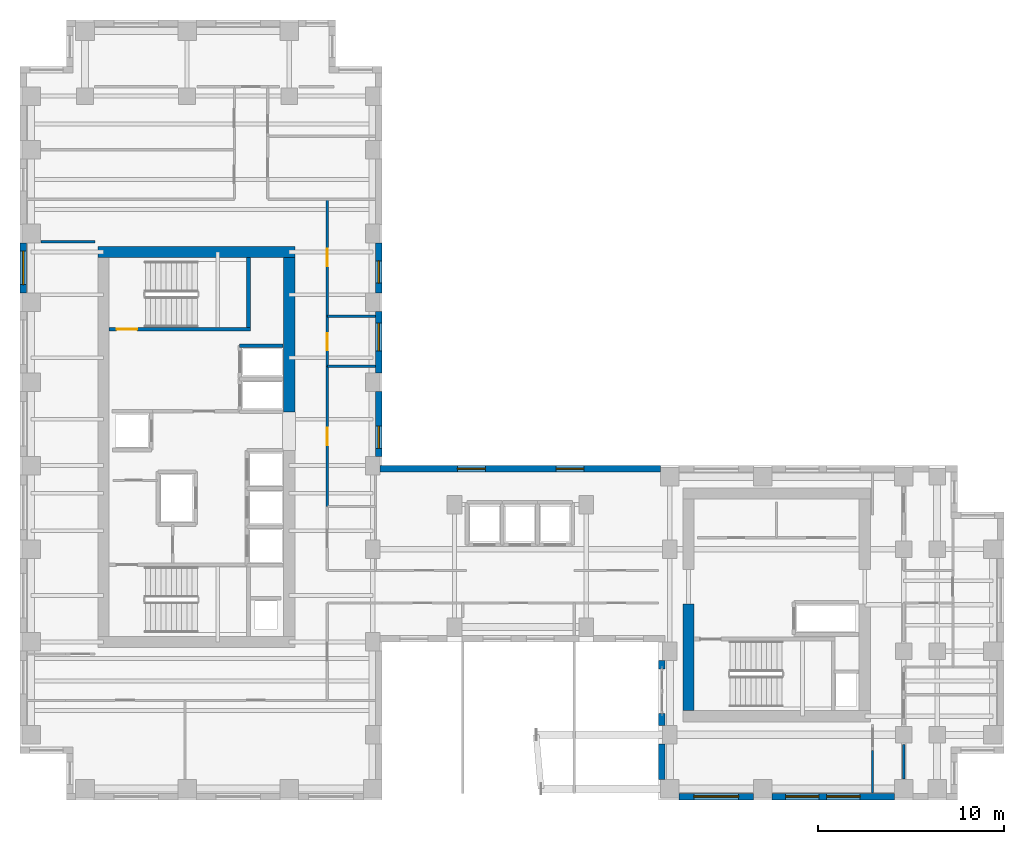
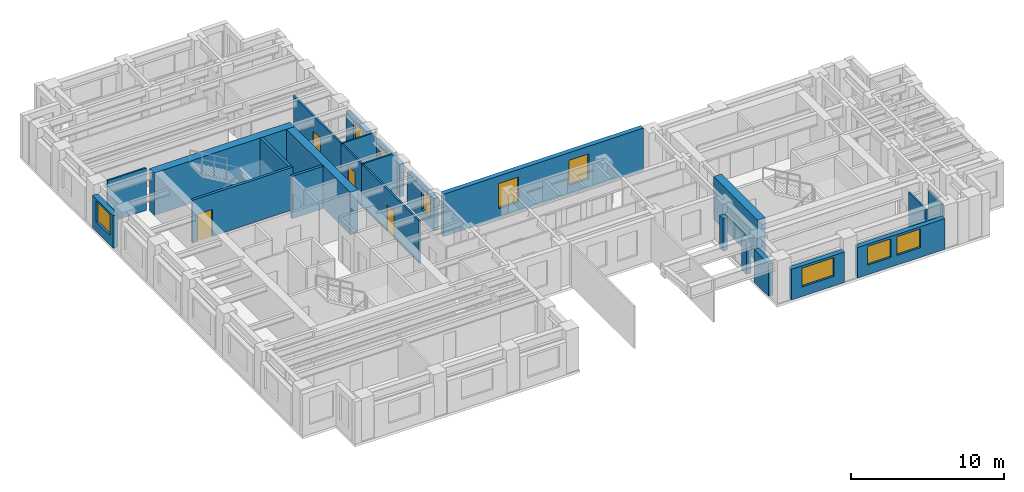
# One storey, part 8 of 13: 24 walls, 9 windows, 4 doors, 13 openings.
"""IFC4 building model written with IfcOpenShell, lengths in metres."""

from ifc_helpers import new_model, si_unit, direction, frame, frame_2d, origin, place, context, subcontext, project, spatial, rectangle, extrude, source, transform, mapped, material, layer, layer_set, type_object, element, fill, save


model = new_model("IFC4")

# Units and contexts
model_context = context("Model", 3, precision=1e-05, world=origin(), true_north=direction((0.0, 1.0)))
body_context = subcontext(model_context, "Body", "Model", "MODEL_VIEW")
ifc_project = project(units=[si_unit("LENGTHUNIT", "METRE"), si_unit("AREAUNIT", "SQUARE_METRE"), si_unit("VOLUMEUNIT", "CUBIC_METRE"), si_unit("PLANEANGLEUNIT", "RADIAN"), si_unit("MASSUNIT", "GRAM", prefix="KILO")], contexts=[model_context])

# Site, building, storey
site_placement = place(None, origin())
site = spatial("IfcSite", under=ifc_project, at=site_placement, CompositionType="ELEMENT")
building_placement = place(site_placement, origin())
building = spatial("IfcBuilding", under=site, at=building_placement, Name="Kharzan Plaza Tower", CompositionType="ELEMENT")
storey_placement = place(building_placement, frame((0.0, 0.0, 161.10009765625)))
storey = spatial("IfcBuildingStorey", under=building, at=storey_placement, Name="L43", CompositionType="ELEMENT", Elevation=161.10009765625)

# Wall, opening, window
ifc_material_1 = material(Name="Concrete C40/50", Category="concrete")
ifc_layer_1 = layer(ifc_material_1, 0.35009765625)
ifc_layer_set_1 = layer_set([ifc_layer_1], Name="Concrete C40/50")
wall_type_1 = type_object("IfcWallType", Name="WL-EXT-MAS-Z3", PredefinedType="SOLIDWALL", material=ifc_layer_set_1)
wall_1_placement = place(storey_placement, frame((0.175048828125, 30.001953125, 0.0), z_axis=(0.0, 0.0, 1.0), x_axis=(0.0, -1.0, 0.0)))
wall_1 = element("IfcWall", 1, at=wall_1_placement, inside=storey, type_object=wall_type_1, Name="L43 Masonry-Frame Exterior Wall 12", PredefinedType="SOLIDWALL", context=body_context, shape_type="SweptSolid", body=[
    extrude(rectangle(XDim=2.703857421875, YDim=0.35009765625, at=frame_2d((1.35205078125, 0.0))), origin(), (0.0, 0.0, 1.0), 2.61181640625),
])
opening_1_placement = place(wall_1_placement, frame((0.451904296875, 0.0, 0.780029296875)))
opening_1 = element("IfcOpeningElement", 2, at=opening_1_placement, cuts=wall_1, Name="Opening W1", PredefinedType="OPENING", context=body_context, shape_type="SweptSolid", body=[
    extrude(rectangle(XDim=1.800048828125, YDim=1.652099609375, at=frame_2d((0.89990234375, 0.826171875))), frame((0.0, 0.18505859375, 0.0), z_axis=(0.0, -1.0, 0.0), x_axis=(1.0, 0.0, 0.0)), (0.0, 0.0, 1.0), 0.3701171875),
])
ifc_material_2 = material(Name="Low-E Double Glazing", Category="glass")
window_type_1 = type_object("IfcWindowType", Name="WN-REC-1800x2100", PartitioningType="SINGLE_PANEL", PredefinedType="WINDOW", material=ifc_material_2)
shared_shape_1 = source(origin(), body_context, "Body", "SweptSolid", [
    extrude(rectangle(XDim=1.800048828125, YDim=1.652099609375, at=frame_2d((0.89990234375, 0.826171875))), frame((0.0, 0.030029296875, 0.0), z_axis=(0.0, -1.0, 0.0), x_axis=(1.0, 0.0, 0.0)), (0.0, 0.0, 1.0), 0.06005859375),
])
window_1_placement = place(opening_1_placement, origin())
window_1 = element("IfcWindow", 3, at=window_1_placement, inside=storey, type_object=window_type_1, Name="L43 Recessed Solar-Control Window 12-1", OverallHeight=1.652099609375, OverallWidth=1.800048828125, PartitioningType="SINGLE_PANEL", PredefinedType="WINDOW", context=body_context, shape_type="MappedRepresentation", body=[
    mapped(shared_shape_1, transform((0.0, 0.0, 0.0), x_axis=(1.0, 0.0, 0.0), y_axis=(0.0, 1.0, 0.0), z_axis=(0.0, 0.0, 1.0))),
])
fill(opening_1, window_1)

wall_2_placement = place(storey_placement, frame((35.498046875, 0.175048828125, 0.0), z_axis=(0.0, 0.0, 1.0), x_axis=(1.0, 0.0, 0.0)))
wall_2 = element("IfcWall", 4, at=wall_2_placement, inside=storey, type_object=wall_type_1, Name="L43 Masonry-Frame Exterior Wall 32", PredefinedType="SOLIDWALL", context=body_context, shape_type="SweptSolid", body=[
    extrude(rectangle(XDim=4.00390625, YDim=0.35009765625, at=frame_2d((2.001953125, 0.0))), origin(), (0.0, 0.0, 1.0), 2.447998046875),
])
opening_2_placement = place(wall_2_placement, frame((0.802001953125, 0.0, 0.780029296875)))
opening_2 = element("IfcOpeningElement", 5, at=opening_2_placement, cuts=wall_2, Name="Opening W2", PredefinedType="OPENING", context=body_context, shape_type="SweptSolid", body=[
    extrude(rectangle(XDim=2.39990234375, YDim=1.488037109375, at=frame_2d((1.199951171875, 0.744140625))), frame((0.0, 0.18505859375, 0.0), z_axis=(0.0, -1.0, 0.0), x_axis=(1.0, 0.0, 0.0)), (0.0, 0.0, 1.0), 0.3701171875),
])
window_type_2 = type_object("IfcWindowType", Name="WN-REC-2400x2100", PartitioningType="SINGLE_PANEL", PredefinedType="WINDOW", material=ifc_material_2)
shared_shape_2 = source(origin(), body_context, "Body", "SweptSolid", [
    extrude(rectangle(XDim=2.39990234375, YDim=1.488037109375, at=frame_2d((1.199951171875, 0.744140625))), frame((0.0, 0.030029296875, 0.0), z_axis=(0.0, -1.0, 0.0), x_axis=(1.0, 0.0, 0.0)), (0.0, 0.0, 1.0), 0.06005859375),
])
window_2_placement = place(opening_2_placement, origin())
window_2 = element("IfcWindow", 6, at=window_2_placement, inside=storey, type_object=window_type_2, Name="L43 Wide Recessed Solar-Control Window 32-1", OverallHeight=1.488037109375, OverallWidth=2.39990234375, PartitioningType="SINGLE_PANEL", PredefinedType="WINDOW", context=body_context, shape_type="MappedRepresentation", body=[
    mapped(shared_shape_2, transform((0.0, 0.0, 0.0), x_axis=(1.0, 0.0, 0.0), y_axis=(0.0, 1.0, 0.0), z_axis=(0.0, 0.0, 1.0))),
])
fill(opening_2, window_2)

# Wall, openings, windows
wall_3_placement = place(storey_placement, frame((40.498046875, 0.175048828125, 0.0), z_axis=(0.0, 0.0, 1.0), x_axis=(1.0, 0.0, 0.0)))
wall_3 = element("IfcWall", 7, at=wall_3_placement, inside=storey, type_object=wall_type_1, Name="L43 Masonry-Frame Exterior Wall 33", PredefinedType="SOLIDWALL", context=body_context, shape_type="SweptSolid", body=[
    extrude(rectangle(XDim=6.60400390625, YDim=0.35009765625, at=frame_2d((3.302001953125, 0.0))), origin(), (0.0, 0.0, 1.0), 2.447998046875),
])
opening_3_placement = place(wall_3_placement, frame((0.7373046875, 0.0, 0.780029296875)))
opening_3 = element("IfcOpeningElement", 8, at=opening_3_placement, cuts=wall_3, Name="Opening W1", PredefinedType="OPENING", context=body_context, shape_type="SweptSolid", body=[
    extrude(rectangle(XDim=1.800048828125, YDim=1.488037109375, at=frame_2d((0.89990234375, 0.744140625))), frame((0.0, 0.18505859375, 0.0), z_axis=(0.0, -1.0, 0.0), x_axis=(1.0, 0.0, 0.0)), (0.0, 0.0, 1.0), 0.3701171875),
])
opening_4_placement = place(wall_3_placement, frame((2.95458984375, 0.0, 0.780029296875)))
opening_4 = element("IfcOpeningElement", 9, at=opening_4_placement, cuts=wall_3, Name="Opening W1", PredefinedType="OPENING", context=body_context, shape_type="SweptSolid", body=[
    extrude(rectangle(XDim=1.800048828125, YDim=1.488037109375, at=frame_2d((0.89990234375, 0.744140625))), frame((0.0, 0.18505859375, 0.0), z_axis=(0.0, -1.0, 0.0), x_axis=(1.0, 0.0, 0.0)), (0.0, 0.0, 1.0), 0.3701171875),
])
shared_shape_3 = source(origin(), body_context, "Body", "SweptSolid", [
    extrude(rectangle(XDim=1.800048828125, YDim=1.488037109375, at=frame_2d((0.89990234375, 0.744140625))), frame((0.0, 0.030029296875, 0.0), z_axis=(0.0, -1.0, 0.0), x_axis=(1.0, 0.0, 0.0)), (0.0, 0.0, 1.0), 0.06005859375),
])
window_3_placement = place(opening_3_placement, origin())
window_3 = element("IfcWindow", 10, at=window_3_placement, inside=storey, type_object=window_type_1, Name="L43 Recessed Solar-Control Window 33-1", OverallHeight=1.488037109375, OverallWidth=1.800048828125, PartitioningType="SINGLE_PANEL", PredefinedType="WINDOW", context=body_context, shape_type="MappedRepresentation", body=[
    mapped(shared_shape_3, transform((0.0, 0.0, 0.0), x_axis=(1.0, 0.0, 0.0), y_axis=(0.0, 1.0, 0.0), z_axis=(0.0, 0.0, 1.0))),
])
fill(opening_3, window_3)
window_4_placement = place(opening_4_placement, origin())
window_4 = element("IfcWindow", 11, at=window_4_placement, inside=storey, type_object=window_type_1, Name="L43 Recessed Solar-Control Window 33-2", OverallHeight=1.488037109375, OverallWidth=1.800048828125, PartitioningType="SINGLE_PANEL", PredefinedType="WINDOW", context=body_context, shape_type="MappedRepresentation", body=[
    mapped(shared_shape_3, transform((0.0, 0.0, 0.0), x_axis=(1.0, 0.0, 0.0), y_axis=(0.0, 1.0, 0.0), z_axis=(0.0, 0.0, 1.0))),
])
fill(opening_4, window_4)

wall_4_placement = place(storey_placement, frame((34.501953125, 17.824951171875, 0.0), z_axis=(0.0, 0.0, 1.0), x_axis=(-1.0, 0.0, 0.0)))
wall_4 = element("IfcWall", 12, at=wall_4_placement, inside=storey, type_object=wall_type_1, Name="L43 Masonry-Frame Exterior Wall 47", PredefinedType="SOLIDWALL", context=body_context, shape_type="SweptSolid", body=[
    extrude(rectangle(XDim=15.10400390625, YDim=0.35009765625, at=frame_2d((7.552001953125, 0.0))), origin(), (0.0, 0.0, 1.0), 3.385009765625),
])
opening_5_placement = place(wall_4_placement, frame((4.131103515625, 0.0, 0.780029296875)))
opening_5 = element("IfcOpeningElement", 13, at=opening_5_placement, cuts=wall_4, Name="Opening W5", PredefinedType="OPENING", context=body_context, shape_type="SweptSolid", body=[
    extrude(rectangle(XDim=1.5, YDim=2.0, at=frame_2d((0.75, 1.0))), frame((0.0, 0.18505859375, 0.0), z_axis=(0.0, -1.0, 0.0), x_axis=(1.0, 0.0, 0.0)), (0.0, 0.0, 1.0), 0.3701171875),
])
opening_6_placement = place(wall_4_placement, frame((9.4423828125, 0.0, 0.780029296875)))
opening_6 = element("IfcOpeningElement", 14, at=opening_6_placement, cuts=wall_4, Name="Opening W5", PredefinedType="OPENING", context=body_context, shape_type="SweptSolid", body=[
    extrude(rectangle(XDim=1.5, YDim=2.0, at=frame_2d((0.75, 1.0))), frame((0.0, 0.18505859375, 0.0), z_axis=(0.0, -1.0, 0.0), x_axis=(1.0, 0.0, 0.0)), (0.0, 0.0, 1.0), 0.3701171875),
])
window_type_3 = type_object("IfcWindowType", Name="WN-SLT-1500x2000", PartitioningType="SINGLE_PANEL", PredefinedType="WINDOW", material=ifc_material_2)
shared_shape_4 = source(origin(), body_context, "Body", "SweptSolid", [
    extrude(rectangle(XDim=1.5, YDim=2.0, at=frame_2d((0.75, 1.0))), frame((0.0, 0.030029296875, 0.0), z_axis=(0.0, -1.0, 0.0), x_axis=(1.0, 0.0, 0.0)), (0.0, 0.0, 1.0), 0.06005859375),
])
window_5_placement = place(opening_5_placement, origin())
window_5 = element("IfcWindow", 15, at=window_5_placement, inside=storey, type_object=window_type_3, Name="L43 Recessed Solar-Control Window 47-1", OverallHeight=2.0, OverallWidth=1.5, PartitioningType="SINGLE_PANEL", PredefinedType="WINDOW", context=body_context, shape_type="MappedRepresentation", body=[
    mapped(shared_shape_4, transform((0.0, 0.0, 0.0), x_axis=(1.0, 0.0, 0.0), y_axis=(0.0, 1.0, 0.0), z_axis=(0.0, 0.0, 1.0))),
])
fill(opening_5, window_5)
window_6_placement = place(opening_6_placement, origin())
window_6 = element("IfcWindow", 16, at=window_6_placement, inside=storey, type_object=window_type_3, Name="L43 Recessed Solar-Control Window 47-2", OverallHeight=2.0, OverallWidth=1.5, PartitioningType="SINGLE_PANEL", PredefinedType="WINDOW", context=body_context, shape_type="MappedRepresentation", body=[
    mapped(shared_shape_4, transform((0.0, 0.0, 0.0), x_axis=(1.0, 0.0, 0.0), y_axis=(0.0, 1.0, 0.0), z_axis=(0.0, 0.0, 1.0))),
])
fill(opening_6, window_6)

# Wall, opening, window
wall_5_placement = place(storey_placement, frame((19.324951171875, 18.498046875, 0.0), z_axis=(0.0, 0.0, 1.0), x_axis=(0.0, 1.0, 0.0)))
wall_5 = element("IfcWall", 17, at=wall_5_placement, inside=storey, type_object=wall_type_1, Name="L43 Masonry-Frame Exterior Wall 48", PredefinedType="SOLIDWALL", context=body_context, shape_type="SweptSolid", body=[
    extrude(rectangle(XDim=3.50390625, YDim=0.35009765625, at=frame_2d((1.751953125, 0.0))), origin(), (0.0, 0.0, 1.0), 2.61181640625),
])
opening_7_placement = place(wall_5_placement, frame((0.4326171875, 0.0, 0.780029296875)))
opening_7 = element("IfcOpeningElement", 18, at=opening_7_placement, cuts=wall_5, Name="Opening W3", PredefinedType="OPENING", context=body_context, shape_type="SweptSolid", body=[
    extrude(rectangle(XDim=1.199951171875, YDim=1.652099609375, at=frame_2d((0.60009765625, 0.826171875))), frame((0.0, 0.18505859375, 0.0), z_axis=(0.0, -1.0, 0.0), x_axis=(1.0, 0.0, 0.0)), (0.0, 0.0, 1.0), 0.3701171875),
])
window_type_4 = type_object("IfcWindowType", Name="WN-REC-1200x2100", PartitioningType="SINGLE_PANEL", PredefinedType="WINDOW", material=ifc_material_2)
shared_shape_5 = source(origin(), body_context, "Body", "SweptSolid", [
    extrude(rectangle(XDim=1.199951171875, YDim=1.652099609375, at=frame_2d((0.60009765625, 0.826171875))), frame((0.0, 0.030029296875, 0.0), z_axis=(0.0, -1.0, 0.0), x_axis=(1.0, 0.0, 0.0)), (0.0, 0.0, 1.0), 0.06005859375),
])
window_7_placement = place(opening_7_placement, origin())
window_7 = element("IfcWindow", 19, at=window_7_placement, inside=storey, type_object=window_type_4, Name="L43 Recessed Solar-Control Window 48-1", OverallHeight=1.652099609375, OverallWidth=1.199951171875, PartitioningType="SINGLE_PANEL", PredefinedType="WINDOW", context=body_context, shape_type="MappedRepresentation", body=[
    mapped(shared_shape_5, transform((0.0, 0.0, 0.0), x_axis=(1.0, 0.0, 0.0), y_axis=(0.0, 1.0, 0.0), z_axis=(0.0, 0.0, 1.0))),
])
fill(opening_7, window_7)

wall_6_placement = place(storey_placement, frame((19.324951171875, 22.998046875, 0.0), z_axis=(0.0, 0.0, 1.0), x_axis=(0.0, 1.0, 0.0)))
wall_6 = element("IfcWall", 20, at=wall_6_placement, inside=storey, type_object=wall_type_1, Name="L43 Masonry-Frame Exterior Wall 49", PredefinedType="SOLIDWALL", context=body_context, shape_type="SweptSolid", body=[
    extrude(rectangle(XDim=3.303955078125, YDim=0.35009765625, at=frame_2d((1.65185546875, 0.0))), origin(), (0.0, 0.0, 1.0), 2.61181640625),
])
opening_8_placement = place(wall_6_placement, frame((1.180419921875, 0.0, 0.780029296875)))
opening_8 = element("IfcOpeningElement", 21, at=opening_8_placement, cuts=wall_6, Name="Opening W5", PredefinedType="OPENING", context=body_context, shape_type="SweptSolid", body=[
    extrude(rectangle(XDim=1.5, YDim=1.652099609375, at=frame_2d((0.75, 0.826171875))), frame((0.0, 0.18505859375, 0.0), z_axis=(0.0, -1.0, 0.0), x_axis=(1.0, 0.0, 0.0)), (0.0, 0.0, 1.0), 0.3701171875),
])
shared_shape_6 = source(origin(), body_context, "Body", "SweptSolid", [
    extrude(rectangle(XDim=1.5, YDim=1.652099609375, at=frame_2d((0.75, 0.826171875))), frame((0.0, 0.030029296875, 0.0), z_axis=(0.0, -1.0, 0.0), x_axis=(1.0, 0.0, 0.0)), (0.0, 0.0, 1.0), 0.06005859375),
])
window_8_placement = place(opening_8_placement, origin())
window_8 = element("IfcWindow", 22, at=window_8_placement, inside=storey, type_object=window_type_3, Name="L43 Recessed Solar-Control Window 49-1", OverallHeight=1.652099609375, OverallWidth=1.5, PartitioningType="SINGLE_PANEL", PredefinedType="WINDOW", context=body_context, shape_type="MappedRepresentation", body=[
    mapped(shared_shape_6, transform((0.0, 0.0, 0.0), x_axis=(1.0, 0.0, 0.0), y_axis=(0.0, 1.0, 0.0), z_axis=(0.0, 0.0, 1.0))),
])
fill(opening_8, window_8)

wall_7_placement = place(storey_placement, frame((19.324951171875, 27.298095703125, 0.0), z_axis=(0.0, 0.0, 1.0), x_axis=(0.0, 1.0, 0.0)))
wall_7 = element("IfcWall", 23, at=wall_7_placement, inside=storey, type_object=wall_type_1, Name="L43 Masonry-Frame Exterior Wall 50", PredefinedType="SOLIDWALL", context=body_context, shape_type="SweptSolid", body=[
    extrude(rectangle(XDim=2.703857421875, YDim=0.35009765625, at=frame_2d((1.35205078125, 0.0))), origin(), (0.0, 0.0, 1.0), 2.61181640625),
])
opening_9_placement = place(wall_7_placement, frame((0.523681640625, 0.0, 0.780029296875)))
opening_9 = element("IfcOpeningElement", 24, at=opening_9_placement, cuts=wall_7, Name="Opening W3", PredefinedType="OPENING", context=body_context, shape_type="SweptSolid", body=[
    extrude(rectangle(XDim=1.199951171875, YDim=1.652099609375, at=frame_2d((0.60009765625, 0.826171875))), frame((0.0, 0.18505859375, 0.0), z_axis=(0.0, -1.0, 0.0), x_axis=(1.0, 0.0, 0.0)), (0.0, 0.0, 1.0), 0.3701171875),
])
window_9_placement = place(opening_9_placement, origin())
window_9 = element("IfcWindow", 25, at=window_9_placement, inside=storey, type_object=window_type_4, Name="L43 Recessed Solar-Control Window 50-1", OverallHeight=1.652099609375, OverallWidth=1.199951171875, PartitioningType="SINGLE_PANEL", PredefinedType="WINDOW", context=body_context, shape_type="MappedRepresentation", body=[
    mapped(shared_shape_5, transform((0.0, 0.0, 0.0), x_axis=(1.0, 0.0, 0.0), y_axis=(0.0, 1.0, 0.0), z_axis=(0.0, 0.0, 1.0))),
])
fill(opening_9, window_9)

# Wall, opening, door
ifc_material_3 = material(Name="Fire-Rated Gypsum Board Partition", Category="gypsum")
ifc_layer_2 = layer(ifc_material_3, 0.125)
ifc_layer_set_2 = layer_set([ifc_layer_2], Name="Fire-Rated Gypsum Board Partition")
wall_type_2 = type_object("IfcWallType", Name="WL-INT-PART-125", PredefinedType="PARTITIONING", material=ifc_layer_set_2)
wall_8_placement = place(storey_placement, frame((16.550048828125, 15.800048828125, 0.0), z_axis=(0.0, 0.0, 1.0), x_axis=(0.0, 1.0, 0.0)))
wall_8 = element("IfcWall", 26, at=wall_8_placement, inside=storey, type_object=wall_type_2, Name="L43 Interior Partition SH-AEWN2", PredefinedType="PARTITIONING", context=body_context, shape_type="SweptSolid", body=[
    extrude(rectangle(XDim=7.550048828125, YDim=0.125, at=frame_2d((3.77490234375, 0.0))), origin(), (0.0, 0.0, 1.0), 3.385009765625),
])
opening_10_placement = place(wall_8_placement, frame((3.300048828125, 0.0, 0.0)))
opening_10 = element("IfcOpeningElement", 27, at=opening_10_placement, cuts=wall_8, Name="Opening OD1", PredefinedType="OPENING", context=body_context, shape_type="SweptSolid", body=[
    extrude(rectangle(XDim=0.949951171875, YDim=2.14990234375, at=frame_2d((0.47509765625, 1.074951171875))), frame((0.0, 0.072509765625, 0.0), z_axis=(0.0, -1.0, 0.0), x_axis=(1.0, 0.0, 0.0)), (0.0, 0.0, 1.0), 0.14501953125),
])
ifc_material_4 = material(Name="Acoustic Solid-Core Stained Oak", Category="timber")
door_type_1 = type_object("IfcDoorType", Name="DR-OFF-SINGLE", OperationType="NOTDEFINED", PredefinedType="DOOR", material=ifc_material_4)
shared_shape_7 = source(origin(), body_context, "Body", "SweptSolid", [
    extrude(rectangle(XDim=0.949951171875, YDim=2.14990234375, at=frame_2d((0.47509765625, 1.074951171875))), frame((0.0, 0.02490234375, 0.0), z_axis=(0.0, -1.0, 0.0), x_axis=(1.0, 0.0, 0.0)), (0.0, 0.0, 1.0), 0.050048828125),
])
door_1_placement = place(opening_10_placement, origin())
door_1 = element("IfcDoor", 28, at=door_1_placement, inside=storey, type_object=door_type_1, Name="L43 Slot Studio Door", OperationType="SINGLE_SWING_LEFT", OverallHeight=2.14990234375, OverallWidth=0.949951171875, PredefinedType="DOOR", context=body_context, shape_type="MappedRepresentation", body=[
    mapped(shared_shape_7, transform((0.0, 0.0, 0.0), x_axis=(1.0, 0.0, 0.0), y_axis=(0.0, 1.0, 0.0), z_axis=(0.0, 0.0, 1.0))),
])
fill(opening_10, door_1)

wall_9_placement = place(storey_placement, frame((16.550048828125, 26.050048828125, 0.0), z_axis=(0.0, 0.0, 1.0), x_axis=(0.0, 1.0, 0.0)))
wall_9 = element("IfcWall", 29, at=wall_9_placement, inside=storey, type_object=wall_type_2, Name="L43 Interior Partition SH-AEWN3", PredefinedType="PARTITIONING", context=body_context, shape_type="SweptSolid", body=[
    extrude(rectangle(XDim=6.300048828125, YDim=0.125, at=frame_2d((3.14990234375, 0.0))), origin(), (0.0, 0.0, 1.0), 3.385009765625),
])
opening_11_placement = place(wall_9_placement, frame((2.675048828125, 0.0, 0.0)))
opening_11 = element("IfcOpeningElement", 30, at=opening_11_placement, cuts=wall_9, Name="Opening OD1", PredefinedType="OPENING", context=body_context, shape_type="SweptSolid", body=[
    extrude(rectangle(XDim=0.949951171875, YDim=2.14990234375, at=frame_2d((0.47509765625, 1.074951171875))), frame((0.0, 0.072509765625, 0.0), z_axis=(0.0, -1.0, 0.0), x_axis=(1.0, 0.0, 0.0)), (0.0, 0.0, 1.0), 0.14501953125),
])
door_2_placement = place(opening_11_placement, origin())
door_2 = element("IfcDoor", 31, at=door_2_placement, inside=storey, type_object=door_type_1, Name="L43 Staff Tea Point Door", OperationType="SINGLE_SWING_LEFT", OverallHeight=2.14990234375, OverallWidth=0.949951171875, PredefinedType="DOOR", context=body_context, shape_type="MappedRepresentation", body=[
    mapped(shared_shape_7, transform((0.0, 0.0, 0.0), x_axis=(1.0, 0.0, 0.0), y_axis=(0.0, 1.0, 0.0), z_axis=(0.0, 0.0, 1.0))),
])
fill(opening_11, door_2)

wall_10_placement = place(storey_placement, frame((16.550048828125, 23.35009765625, 0.0), z_axis=(0.0, 0.0, 1.0), x_axis=(0.0, 1.0, 0.0)))
wall_10 = element("IfcWall", 32, at=wall_10_placement, inside=storey, type_object=wall_type_2, Name="L43 Interior Partition SH-AEWW", PredefinedType="PARTITIONING", context=body_context, shape_type="SweptSolid", body=[
    extrude(rectangle(XDim=2.699951171875, YDim=0.125, at=frame_2d((1.35009765625, 0.0))), origin(), (0.0, 0.0, 1.0), 3.385009765625),
])
opening_12_placement = place(wall_10_placement, frame((0.875, 0.0, 0.0)))
opening_12 = element("IfcOpeningElement", 33, at=opening_12_placement, cuts=wall_10, Name="Opening WD1", PredefinedType="OPENING", context=body_context, shape_type="SweptSolid", body=[
    extrude(rectangle(XDim=0.89990234375, YDim=2.14990234375, at=frame_2d((0.449951171875, 1.074951171875))), frame((0.0, 0.072509765625, 0.0), z_axis=(0.0, -1.0, 0.0), x_axis=(1.0, 0.0, 0.0)), (0.0, 0.0, 1.0), 0.14501953125),
])
ifc_material_5 = material(Name="Moisture-Resistant Fire-Rated Laminate", Category="timber")
door_type_2 = type_object("IfcDoorType", Name="DR-WC-900", OperationType="NOTDEFINED", PredefinedType="DOOR", material=ifc_material_5)
shared_shape_8 = source(origin(), body_context, "Body", "SweptSolid", [
    extrude(rectangle(XDim=0.89990234375, YDim=2.14990234375, at=frame_2d((0.449951171875, 1.074951171875))), frame((0.0, 0.02490234375, 0.0), z_axis=(0.0, -1.0, 0.0), x_axis=(1.0, 0.0, 0.0)), (0.0, 0.0, 1.0), 0.050048828125),
])
door_3_placement = place(opening_12_placement, origin())
door_3 = element("IfcDoor", 34, at=door_3_placement, inside=storey, type_object=door_type_2, Name="L43 Wing A Washroom Door", OperationType="SINGLE_SWING_RIGHT", OverallHeight=2.14990234375, OverallWidth=0.89990234375, PredefinedType="DOOR", context=body_context, shape_type="MappedRepresentation", body=[
    mapped(shared_shape_8, transform((0.0, 0.0, 0.0), x_axis=(1.0, 0.0, 0.0), y_axis=(0.0, 1.0, 0.0), z_axis=(0.0, 0.0, 1.0))),
])
fill(opening_12, door_3)

ifc_material_6 = material(Name="Concrete C50/60", Category="concrete")
ifc_layer_3 = layer(ifc_material_6, 0.199951171875)
ifc_layer_set_3 = layer_set([ifc_layer_3], Name="Concrete C50/60")
wall_type_3 = type_object("IfcWallType", Name="WL-SHAFT-RC200", PredefinedType="SHEAR", material=ifc_layer_set_3)
wall_11_placement = place(storey_placement, frame((4.802001953125, 25.344970703125, 0.0), z_axis=(0.0, 0.0, 1.0), x_axis=(1.0, 0.0, 0.0)))
wall_11 = element("IfcWall", 35, at=wall_11_placement, inside=storey, type_object=wall_type_3, Name="L43 Stair ST-2 South RC Shaft Wall", PredefinedType="SHEAR", context=body_context, shape_type="SweptSolid", body=[
    extrude(rectangle(XDim=7.60302734375, YDim=0.199951171875, at=frame_2d((3.801513671875, 0.0))), origin(), (0.0, 0.0, 1.0), 3.39990234375),
])
opening_13_placement = place(wall_11_placement, frame((0.39990234375, 0.0, 0.0)))
opening_13 = element("IfcOpeningElement", 36, at=opening_13_placement, cuts=wall_11, Name="Opening SD1", PredefinedType="OPENING", context=body_context, shape_type="SweptSolid", body=[
    extrude(rectangle(XDim=1.10009765625, YDim=2.14990234375, at=frame_2d((0.550048828125, 1.074951171875))), frame((0.0, 0.10986328125, 0.0), z_axis=(0.0, -1.0, 0.0), x_axis=(1.0, 0.0, 0.0)), (0.0, 0.0, 1.0), 0.219970703125),
])
ifc_material_7 = material(Name="Fire-Rated Hollow Galvanized Steel", Category="steel")
door_type_3 = type_object("IfcDoorType", Name="DR-STAIR-FD120", OperationType="NOTDEFINED", PredefinedType="DOOR", material=ifc_material_7)
shared_shape_9 = source(origin(), body_context, "Body", "SweptSolid", [
    extrude(rectangle(XDim=1.10009765625, YDim=2.14990234375, at=frame_2d((0.550048828125, 1.074951171875))), frame((0.0, 0.02490234375, 0.0), z_axis=(0.0, -1.0, 0.0), x_axis=(1.0, 0.0, 0.0)), (0.0, 0.0, 1.0), 0.050048828125),
])
door_4_placement = place(opening_13_placement, origin())
door_4 = element("IfcDoor", 37, at=door_4_placement, inside=storey, type_object=door_type_3, Name="L43 Stair ST-2 Fire Exit Door", OperationType="SINGLE_SWING_RIGHT", OverallHeight=2.14990234375, OverallWidth=1.10009765625, PredefinedType="DOOR", context=body_context, shape_type="MappedRepresentation", body=[
    mapped(shared_shape_9, transform((0.0, 0.0, 0.0), x_axis=(1.0, 0.0, 0.0), y_axis=(0.0, 1.0, 0.0), z_axis=(0.0, 0.0, 1.0))),
])
fill(opening_13, door_4)

# Walls
ifc_layer_4 = layer(ifc_material_6, 0.60009765625)
ifc_layer_set_4 = layer_set([ifc_layer_4], Name="Concrete C50/60")
wall_type_4 = type_object("IfcWallType", Name="WL-CORE-600", PredefinedType="SHEAR", material=ifc_layer_set_4)
shared_shape_10 = source(origin(), body_context, "Body", "SweptSolid", [
    extrude(rectangle(XDim=8.320068359375, YDim=0.60009765625, at=frame_2d((4.16015625, 0.0))), origin(), (0.0, 0.0, 1.0), 3.39990234375),
])
wall_12_placement = place(storey_placement, frame((14.5, 20.8798828125, 0.0), z_axis=(0.0, 0.0, 1.0), x_axis=(0.0, 1.0, 0.0)))
element("IfcWall", 38, at=wall_12_placement, inside=storey, type_object=wall_type_4, Name="L43 CORE-A east shear pier 2", PredefinedType="SHEAR", context=body_context, shape_type="MappedRepresentation", body=[
    mapped(shared_shape_10, transform((0.0, 0.0, 0.0), x_axis=(1.0, 0.0, 0.0), y_axis=(0.0, 1.0, 0.0), z_axis=(0.0, 0.0, 1.0))),
])
shared_shape_11 = source(origin(), body_context, "Body", "SweptSolid", [
    extrude(rectangle(XDim=10.60009765625, YDim=0.60009765625, at=frame_2d((5.300048828125, 0.0))), origin(), (0.0, 0.0, 1.0), 3.39990234375),
])
wall_13_placement = place(storey_placement, frame((4.199951171875, 29.5, 0.0), z_axis=(0.0, 0.0, 1.0), x_axis=(1.0, 0.0, 0.0)))
element("IfcWall", 39, at=wall_13_placement, inside=storey, type_object=wall_type_4, Name="L43 CORE-A north RC shear wall", PredefinedType="SHEAR", context=body_context, shape_type="MappedRepresentation", body=[
    mapped(shared_shape_11, transform((0.0, 0.0, 0.0), x_axis=(1.0, 0.0, 0.0), y_axis=(0.0, 1.0, 0.0), z_axis=(0.0, 0.0, 1.0))),
])
shared_shape_12 = source(origin(), body_context, "Body", "SweptSolid", [
    extrude(rectangle(XDim=5.75, YDim=0.60009765625, at=frame_2d((2.875, 0.0))), origin(), (0.0, 0.0, 1.0), 3.39990234375),
])
wall_14_placement = place(storey_placement, frame((36.0, 4.800048828125, 0.0), z_axis=(0.0, 0.0, 1.0), x_axis=(0.0, 1.0, 0.0)))
element("IfcWall", 40, at=wall_14_placement, inside=storey, type_object=wall_type_4, Name="L43 CORE-B west shear pier 1", PredefinedType="SHEAR", context=body_context, shape_type="MappedRepresentation", body=[
    mapped(shared_shape_12, transform((0.0, 0.0, 0.0), x_axis=(1.0, 0.0, 0.0), y_axis=(0.0, 1.0, 0.0), z_axis=(0.0, 0.0, 1.0))),
])
shared_shape_13 = source(origin(), body_context, "Body", "SweptSolid", [
    extrude(rectangle(XDim=1.904052734375, YDim=0.35009765625, at=frame_2d((0.9521484375, 0.0))), origin(), (0.0, 0.0, 1.0), 2.61181640625),
])
wall_15_placement = place(storey_placement, frame((34.574951171875, 3.001953125, 0.0), z_axis=(0.0, 0.0, 1.0), x_axis=(0.0, -1.0, 0.0)))
element("IfcWall", 41, at=wall_15_placement, inside=storey, type_object=wall_type_1, Name="L43 Masonry-Frame Exterior Wall 31", PredefinedType="SOLIDWALL", context=body_context, shape_type="MappedRepresentation", body=[
    mapped(shared_shape_13, transform((0.0, 0.0, 0.0), x_axis=(1.0, 0.0, 0.0), y_axis=(0.0, 1.0, 0.0), z_axis=(0.0, 0.0, 1.0))),
])
shared_shape_14 = source(origin(), body_context, "Body", "SweptSolid", [
    extrude(rectangle(XDim=0.451904296875, YDim=0.35009765625, at=frame_2d((0.22607421875, 0.0))), origin(), (0.0, 0.0, 1.0), 2.61181640625),
])
wall_16_placement = place(storey_placement, frame((34.574951171875, 7.501953125, 0.0), z_axis=(0.0, 0.0, 1.0), x_axis=(0.0, -1.0, 0.0)))
element("IfcWall", 42, at=wall_16_placement, inside=storey, type_object=wall_type_1, Name="L43 Masonry-Frame Exterior Wall 29", PredefinedType="SOLIDWALL", context=body_context, shape_type="MappedRepresentation", body=[
    mapped(shared_shape_14, transform((0.0, 0.0, 0.0), x_axis=(1.0, 0.0, 0.0), y_axis=(0.0, 1.0, 0.0), z_axis=(0.0, 0.0, 1.0))),
])
shared_shape_15 = source(origin(), body_context, "Body", "SweptSolid", [
    extrude(rectangle(XDim=2.2978515625, YDim=0.125, at=frame_2d((1.14892578125, 0.0))), origin(), (0.0, 0.0, 1.0), 3.385009765625),
])
wall_17_placement = place(storey_placement, frame((45.919921875, 0.35205078125, 0.0), z_axis=(0.0, 0.0, 1.0), x_axis=(0.0, 1.0, 0.0)))
element("IfcWall", 43, at=wall_17_placement, inside=storey, type_object=wall_type_2, Name="L43 Interior Partition SH-RBSE0", PredefinedType="PARTITIONING", context=body_context, shape_type="MappedRepresentation", body=[
    mapped(shared_shape_15, transform((0.0, 0.0, 0.0), x_axis=(1.0, 0.0, 0.0), y_axis=(0.0, 1.0, 0.0), z_axis=(0.0, 0.0, 1.0))),
])
shared_shape_16 = source(origin(), body_context, "Body", "SweptSolid", [
    extrude(rectangle(XDim=2.929931640625, YDim=0.125, at=frame_2d((1.46484375, 0.0))), origin(), (0.0, 0.0, 1.0), 3.385009765625),
])
wall_18_placement = place(storey_placement, frame((1.1201171875, 30.050048828125, 0.0), z_axis=(0.0, 0.0, 1.0), x_axis=(1.0, 0.0, 0.0)))
element("IfcWall", 44, at=wall_18_placement, inside=storey, type_object=wall_type_2, Name="L43 Interior Partition SH-RWN0", PredefinedType="PARTITIONING", context=body_context, shape_type="MappedRepresentation", body=[
    mapped(shared_shape_16, transform((0.0, 0.0, 0.0), x_axis=(1.0, 0.0, 0.0), y_axis=(0.0, 1.0, 0.0), z_axis=(0.0, 0.0, 1.0))),
])
ifc_layer_5 = layer(ifc_material_1, 0.199951171875)
ifc_layer_set_5 = layer_set([ifc_layer_5], Name="Concrete C40/50")
wall_type_5 = type_object("IfcWallType", Name="WL-INT-SHAFT-200", PredefinedType="PARTITIONING", material=ifc_layer_set_5)
shared_shape_17 = source(origin(), body_context, "Body", "SweptSolid", [
    extrude(rectangle(XDim=2.33984375, YDim=0.199951171875, at=frame_2d((1.169921875, 0.0))), origin(), (0.0, 0.0, 1.0), 3.385009765625),
])
wall_19_placement = place(storey_placement, frame((11.830078125, 24.4599609375, 0.0), z_axis=(0.0, 0.0, 1.0), x_axis=(1.0, 0.0, 0.0)))
element("IfcWall", 45, at=wall_19_placement, inside=storey, type_object=wall_type_5, Name="L43 Interior Partition SHF-FFL-2-N", PredefinedType="PARTITIONING", context=body_context, shape_type="MappedRepresentation", body=[
    mapped(shared_shape_17, transform((0.0, 0.0, 0.0), x_axis=(1.0, 0.0, 0.0), y_axis=(0.0, 1.0, 0.0), z_axis=(0.0, 0.0, 1.0))),
])
shared_shape_18 = source(origin(), body_context, "Body", "SweptSolid", [
    extrude(rectangle(XDim=3.7529296875, YDim=0.199951171875, at=frame_2d((1.87646484375, 0.0))), origin(), (0.0, 0.0, 1.0), 3.39990234375),
])
wall_20_placement = place(storey_placement, frame((12.304931640625, 25.445068359375, 0.0), z_axis=(0.0, 0.0, 1.0), x_axis=(0.0, 1.0, 0.0)))
element("IfcWall", 46, at=wall_20_placement, inside=storey, type_object=wall_type_3, Name="L43 Stair ST-2 East RC Shaft Wall", PredefinedType="SHEAR", context=body_context, shape_type="MappedRepresentation", body=[
    mapped(shared_shape_18, transform((0.0, 0.0, 0.0), x_axis=(1.0, 0.0, 0.0), y_axis=(0.0, 1.0, 0.0), z_axis=(0.0, 0.0, 1.0))),
])
shared_shape_19 = source(origin(), body_context, "Body", "SweptSolid", [
    extrude(rectangle(XDim=2.597900390625, YDim=0.125, at=frame_2d((1.298828125, 0.0))), origin(), (0.0, 0.0, 1.0), 3.385009765625),
])
for number, where, z_axis, x_axis, name in (
    (47, (16.550048828125, 23.35009765625, 0.0), (0.0, 0.0, 1.0), (1.0, 0.0, 0.0), "L43 Interior Partition SH-AEH-233"),
    (48, (16.550048828125, 26.050048828125, 0.0), (0.0, 0.0, 1.0), (1.0, 0.0, 0.0), "L43 Interior Partition SH-AEH-260"),
):
    element("IfcWall", number, at=place(storey_placement, frame(where, z_axis=z_axis, x_axis=x_axis)), inside=storey, type_object=wall_type_2, Name=name, PredefinedType="PARTITIONING", context=body_context, shape_type="MappedRepresentation", body=[
        mapped(shared_shape_19, transform((0.0, 0.0, 0.0), x_axis=(1.0, 0.0, 0.0), y_axis=(0.0, 1.0, 0.0), z_axis=(0.0, 0.0, 1.0))),
    ])
shared_shape_20 = source(origin(), body_context, "Body", "SweptSolid", [
    extrude(rectangle(XDim=1.85986328125, YDim=0.125, at=frame_2d((0.929931640625, 0.0))), origin(), (0.0, 0.0, 1.0), 2.77294921875),
])
wall_21_placement = place(storey_placement, frame((47.60009765625, 1.1201171875, 0.0), z_axis=(0.0, 0.0, 1.0), x_axis=(0.0, 1.0, 0.0)))
element("IfcWall", 49, at=wall_21_placement, inside=storey, type_object=wall_type_2, Name="L43 Interior Partition SH-B2W0S", PredefinedType="PARTITIONING", context=body_context, shape_type="MappedRepresentation", body=[
    mapped(shared_shape_20, transform((0.0, 0.0, 0.0), x_axis=(1.0, 0.0, 0.0), y_axis=(0.0, 1.0, 0.0), z_axis=(0.0, 0.0, 1.0))),
])
shared_shape_21 = source(origin(), body_context, "Body", "SweptSolid", [
    extrude(rectangle(XDim=0.65185546875, YDim=0.35009765625, at=frame_2d((0.325927734375, 0.0))), origin(), (0.0, 0.0, 1.0), 2.61181640625),
])
wall_22_placement = place(storey_placement, frame((34.574951171875, 4.64990234375, 0.0), z_axis=(0.0, 0.0, 1.0), x_axis=(0.0, -1.0, 0.0)))
element("IfcWall", 50, at=wall_22_placement, inside=storey, type_object=wall_type_1, Name="L43 Masonry-Frame Exterior Wall 30", PredefinedType="SOLIDWALL", context=body_context, shape_type="MappedRepresentation", body=[
    mapped(shared_shape_21, transform((0.0, 0.0, 0.0), x_axis=(1.0, 0.0, 0.0), y_axis=(0.0, 1.0, 0.0), z_axis=(0.0, 0.0, 1.0))),
])

save(model, "model.ifc")
